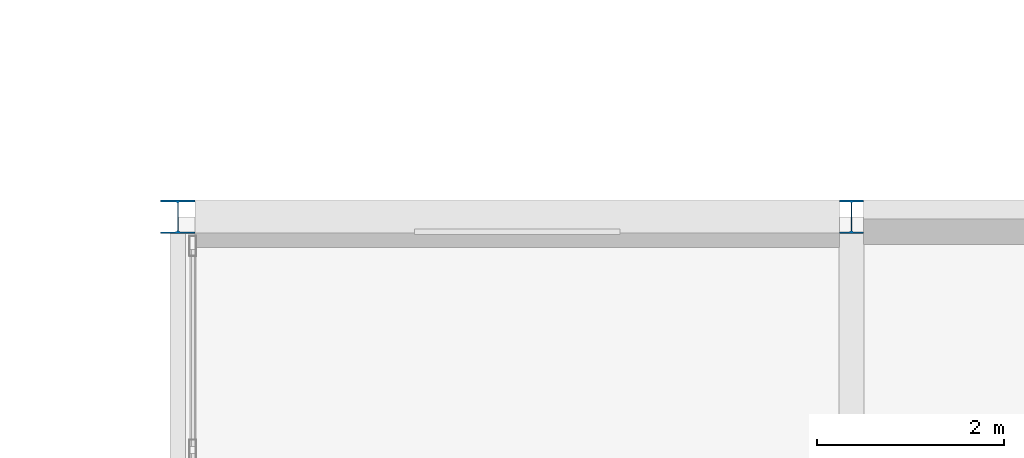
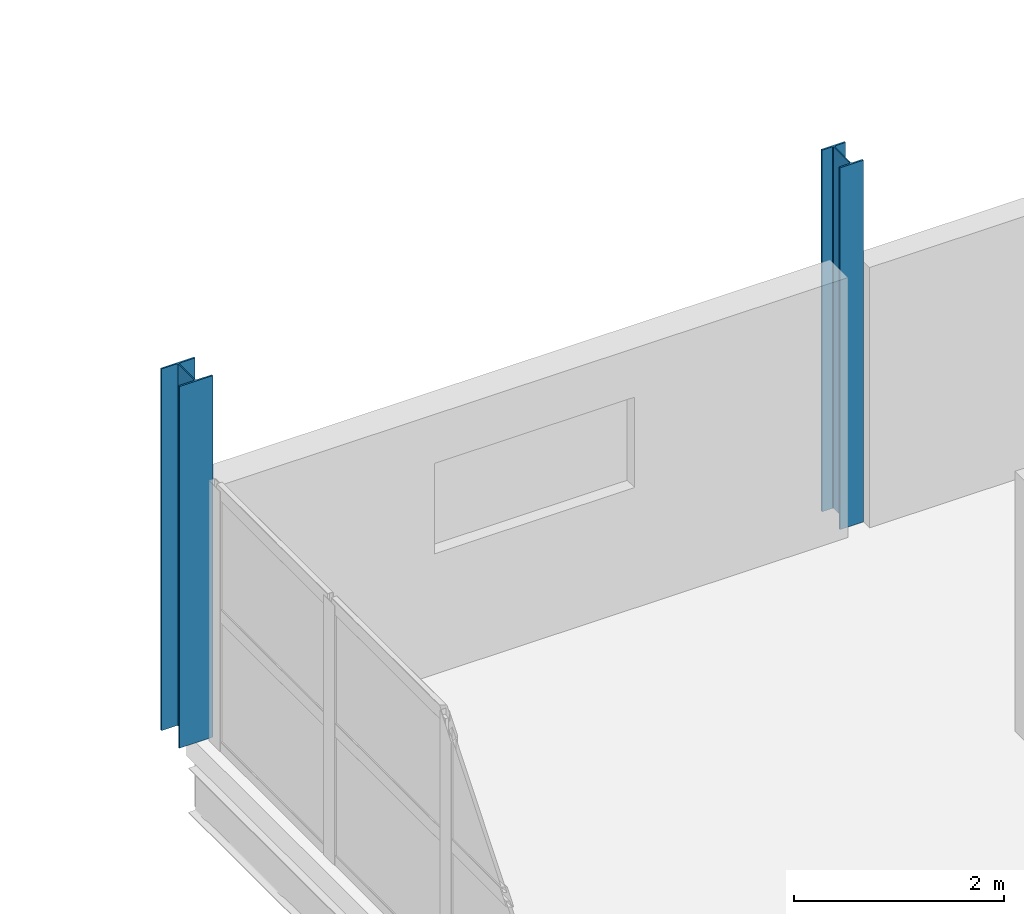
# One storey, part 6 of 94: 2 columns.
"""IFC4 building model written with IfcOpenShell, lengths in metres."""

from ifc_helpers import new_model, si_unit, direction, frame, origin, origin_2d, place, context, subcontext, project, spatial, i_section, extrude, material, material_profile, profile_set, type_object, element, save


model = new_model("IFC4")

# Units and contexts
model_context = context("Model", 3, precision=1e-05, world=origin(), true_north=direction((0.0, 1.0)))
body_context = subcontext(model_context, "Body", "Model", "MODEL_VIEW")
ifc_project = project(units=[si_unit("LENGTHUNIT", "METRE"), si_unit("AREAUNIT", "SQUARE_METRE"), si_unit("VOLUMEUNIT", "CUBIC_METRE"), si_unit("PLANEANGLEUNIT", "RADIAN"), si_unit("MASSUNIT", "GRAM", prefix="KILO")], contexts=[model_context])

# Site, building, storey
site_placement = place(None, origin())
site = spatial("IfcSite", under=ifc_project, at=site_placement, CompositionType="ELEMENT")
building_placement = place(site_placement, origin())
building = spatial("IfcBuilding", under=site, at=building_placement, Name="Kalmorath City Hall", CompositionType="ELEMENT")
storey_placement = place(building_placement, frame((0.0, 0.0, 14.699951171875)))
storey = spatial("IfcBuildingStorey", under=building, at=storey_placement, Name="L03", CompositionType="ELEMENT", Elevation=14.699951171875)

# Columns
ifc_material_1 = material(Name="Steel ASTM A992 Grade 50", Category="steel")
ifc_material_profile_1 = material_profile(ifc_material_1, i_section(OverallWidth=0.256103515625, OverallDepth=0.360107421875, WebThickness=0.011474609375, FlangeThickness=0.02001953125, FilletRadius=0.014892578125, at=origin_2d()), Name="W14X74")
ifc_profile_set_1 = profile_set([ifc_material_profile_1], Name="Steel ASTM A992 Grade 50")
column_type_1 = type_object("IfcColumnType", Name="Steel wide-flange column W14X74", PredefinedType="COLUMN", material=ifc_profile_set_1)
column_1_placement = place(storey_placement, frame((122.39990234375, 43.199951171875, 0.0), z_axis=(0.0, 0.0, 1.0), x_axis=(1.0, 0.0, 0.0)))
element("IfcColumn", 1, at=column_1_placement, inside=storey, type_object=column_type_1, Name="L03 column SC4 (18/7)", PredefinedType="COLUMN", context=body_context, shape_type="SweptSolid", body=[
    extrude(i_section(OverallWidth=0.256103515625, OverallDepth=0.360107421875, WebThickness=0.011474609375, FlangeThickness=0.02001953125, FilletRadius=0.014892578125, at=origin_2d()), origin(), (0.0, 0.0, 1.0), 4.199951171875),
])
ifc_material_2 = material(Name="Steel ASTM A992 Grade 50", Category="steel")
ifc_material_profile_2 = material_profile(ifc_material_2, i_section(OverallWidth=0.368896484375, OverallDepth=0.35595703125, WebThickness=0.01123046875, FlangeThickness=0.01806640625, FilletRadius=0.01806640625, at=origin_2d()), Name="W14X90")
ifc_profile_set_2 = profile_set([ifc_material_profile_2], Name="Steel ASTM A992 Grade 50")
column_type_2 = type_object("IfcColumnType", Name="Steel wide-flange column W14X90", PredefinedType="COLUMN", material=ifc_profile_set_2)
column_2_placement = place(storey_placement, frame((115.199951171875, 43.199951171875, 0.0), z_axis=(0.0, 0.0, 1.0), x_axis=(1.0, 0.0, 0.0)))
element("IfcColumn", 2, at=column_2_placement, inside=storey, type_object=column_type_2, Name="L03 column SC3 (17/7)", PredefinedType="COLUMN", context=body_context, shape_type="SweptSolid", body=[
    extrude(i_section(OverallWidth=0.368896484375, OverallDepth=0.35595703125, WebThickness=0.01123046875, FlangeThickness=0.01806640625, FilletRadius=0.01806640625, at=origin_2d()), origin(), (0.0, 0.0, 1.0), 4.199951171875),
])

save(model, "model.ifc")
